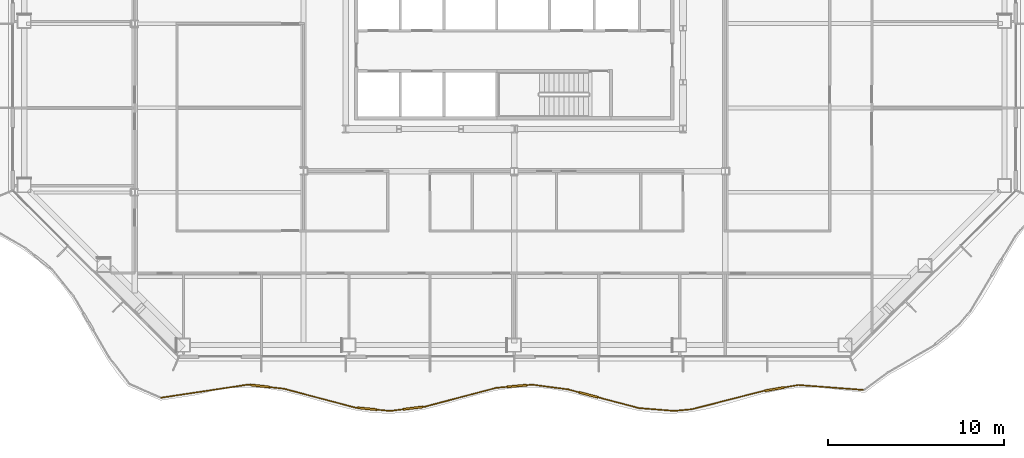
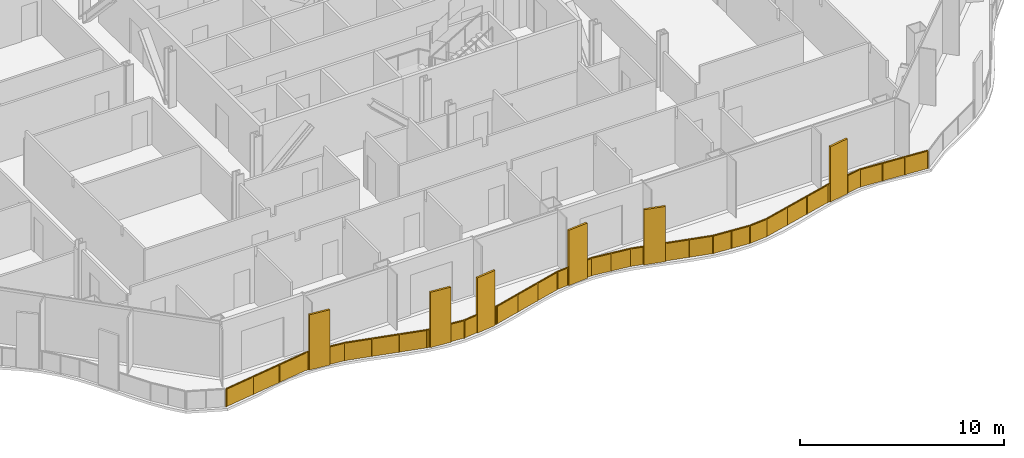
# One storey, part 16 of 23: 1 railing.
"""IFC4 building model written with IfcOpenShell, lengths in metres."""

import ifcopenshell
import ifcopenshell.guid

model = None  # the IFC model being written
_history = None  # IfcOwnerHistory: only IFC2X3 demands one
_inside = {}  # id of a spatial element -> (the spatial element, [elements in it])
_under = {}  # id of a project, library or spatial element -> (it, [spatial elements below it])
_declared = {}  # id of a project -> (the project, [libraries it declares])
_typed = {}  # id of a type object -> (the type object, [elements of that type])
_made_of = {}  # id of a material, layer set ... -> (it, [elements and type objects made of it])


def new_model(schema):
    """Start an empty IFC model of exactly this schema.

    Asked for "IFC4X3", IfcOpenShell would pick the latest addendum, in which some entities
    have other attributes; the version numbers below select the first issue.
    IFC2X3 requires an IfcOwnerHistory on every rooted entity: one is made here for all.
    """
    global model, _history
    if schema == "IFC4X3":
        model = ifcopenshell.file(schema_version=(4, 3, 0, 0))
    else:
        model = ifcopenshell.file(schema=schema)
    _inside.clear()
    _under.clear()
    _declared.clear()
    _typed.clear()
    _made_of.clear()
    _history = None
    if model.schema == "IFC2X3":
        org = make("IfcOrganization", Name="unknown")
        user = make(
            "IfcPersonAndOrganization",
            ThePerson=make("IfcPerson", FamilyName="unknown"),
            TheOrganization=org,
        )
        app = make(
            "IfcApplication",
            ApplicationDeveloper=org,
            Version="unknown",
            ApplicationFullName="unknown",
            ApplicationIdentifier="unknown",
        )
        _history = make(
            "IfcOwnerHistory",
            OwningUser=user,
            OwningApplication=app,
            ChangeAction="ADDED",
            CreationDate=0,
        )
    return model


def make(cls, **values):
    """One entity of the class cls with the attributes given. An attribute that is None is left unset."""
    return model.create_entity(
        cls, **{name: value for name, value in values.items() if value is not None}
    )


def rooted(cls, **values):
    """An entity with a GlobalId (a new one), such as an element, a storey or a relation."""
    return make(cls, GlobalId=ifcopenshell.guid.new(), OwnerHistory=_history, **values)


def si_unit(unit_type, name, prefix=None):
    """IfcSIUnit, for example si_unit("LENGTHUNIT", "METRE", prefix="MILLI")."""
    return make("IfcSIUnit", UnitType=unit_type, Prefix=prefix, Name=name)


def assignment(units):
    """IfcUnitAssignment: the units of a project."""
    return None if units is None else make("IfcUnitAssignment", Units=units)


def point(xyz):
    """IfcCartesianPoint."""
    return None if xyz is None else make("IfcCartesianPoint", Coordinates=xyz)


def direction(xyz):
    """IfcDirection."""
    return None if xyz is None else make("IfcDirection", DirectionRatios=xyz)


def frame(location, z_axis=None, x_axis=None):
    """IfcAxis2Placement3D, a coordinate frame: its origin and axes. An axis left out is left unset."""
    return make(
        "IfcAxis2Placement3D",
        Location=point(location),
        Axis=direction(z_axis),
        RefDirection=direction(x_axis),
    )


def frame_2d(location, x_axis=None):
    """IfcAxis2Placement2D, a coordinate frame in the plane: its origin and x axis."""
    return make(
        "IfcAxis2Placement2D", Location=point(location), RefDirection=direction(x_axis)
    )


def origin():
    """The frame at (0, 0, 0) with its axes left unset."""
    return frame((0.0, 0.0, 0.0))


def origin_2d():
    """The frame at (0, 0) in the plane with its x axis left unset."""
    return frame_2d((0.0, 0.0))


def place(relative_to, where):
    """IfcLocalPlacement: puts the frame where relative to a parent placement (None: the world)."""
    return make(
        "IfcLocalPlacement", PlacementRelTo=relative_to, RelativePlacement=where
    )


def context(
    kind, dimensions, precision=None, world=None, true_north=None, identifier=None
):
    """IfcGeometricRepresentationContext, for example the 3D "Model" context."""
    return make(
        "IfcGeometricRepresentationContext",
        ContextIdentifier=identifier,
        ContextType=kind,
        CoordinateSpaceDimension=dimensions,
        Precision=precision,
        WorldCoordinateSystem=world,
        TrueNorth=true_north,
    )


def subcontext(parent, identifier, kind, view, scale=None):
    """IfcGeometricRepresentationSubContext, for example "Body" below "Model"."""
    return make(
        "IfcGeometricRepresentationSubContext",
        ContextIdentifier=identifier,
        ContextType=kind,
        ParentContext=parent,
        TargetScale=scale,
        TargetView=view,
    )


def project(units=None, contexts=None):
    """IfcProject with its units and contexts."""
    return rooted(
        "IfcProject",
        Name="project",
        RepresentationContexts=contexts,
        UnitsInContext=assignment(units),
    )


def spatial(cls, under=None, at=None, **own):
    """A site, building, storey or space (cls), placed at a placement, below another one or the project."""
    s = rooted(cls, ObjectPlacement=at, **own)
    if under is not None:
        _under.setdefault(under.id(), (under, []))[1].append(s)
    return s


def polyline(points):
    """IfcPolyline through the points."""
    return make("IfcPolyline", Points=[point(p) for p in points])


def profile(cls, at=None, kind="AREA", **sizes):
    """A parametric profile (cls). Its sizes go by their IFC names, for example OverallWidth=200.0."""
    return make(cls, ProfileType=kind, Position=at, **sizes)


def rectangle(**sizes):
    """IfcRectangleProfileDef."""
    return profile("IfcRectangleProfileDef", **sizes)


def outline(outer, holes=None, kind="AREA"):
    """IfcArbitraryClosedProfileDef: a profile drawn as a closed curve; with holes, ...WithVoids."""
    if holes is None:
        return make("IfcArbitraryClosedProfileDef", ProfileType=kind, OuterCurve=outer)
    return make(
        "IfcArbitraryProfileDefWithVoids",
        ProfileType=kind,
        OuterCurve=outer,
        InnerCurves=holes,
    )


def extrude(swept, where, along, depth):
    """IfcExtrudedAreaSolid: the profile swept, set in the frame where, extruded along a direction by depth."""
    return make(
        "IfcExtrudedAreaSolid",
        SweptArea=swept,
        Position=where,
        ExtrudedDirection=direction(along),
        Depth=depth,
    )


def shape(context_of_items, identifier, shape_type, items):
    """IfcShapeRepresentation: the items that make up one representation, for example the "Body"."""
    return make(
        "IfcShapeRepresentation",
        ContextOfItems=context_of_items,
        RepresentationIdentifier=identifier,
        RepresentationType=shape_type,
        Items=items,
    )


def material(Name=None, Category=None):
    """IfcMaterial."""
    return make("IfcMaterial", Name=Name, Category=Category)


def made_of(thing, what):
    """Note that an element or type object is made of a material, layer set ...; save() writes the relation."""
    if what is not None:
        _made_of.setdefault(what.id(), (what, []))[1].append(thing)
    return thing


def type_object(cls, material=None, **own):
    """A type object (cls), such as IfcWallType, which elements share."""
    return made_of(rooted(cls, **own), material)


def element(
    cls,
    number,
    at=None,
    inside=None,
    cuts=None,
    type_object=None,
    material=None,
    context=None,
    identifier="Body",
    shape_type=None,
    held_by="IfcProductDefinitionShape",
    body=None,
    shapes=None,
    **own,
):
    """One element of the class cls, such as IfcWall. Its Tag is "e" and its number.

    at: its placement. inside: the storey or other place that contains it. cuts: it is an
    opening in that element (IfcRelVoidsElement). A single representation is given by context,
    identifier, shape_type and body (its items); several are given by shapes. held_by: the class
    of the entity that holds the representations. save() writes the other relations.
    """
    e = rooted(cls, Tag="e%d" % number, ObjectPlacement=at, **own)
    if body is not None:
        shapes = [shape(context, identifier, shape_type, body)]
    if shapes is not None:
        e.Representation = make(held_by, Representations=shapes)
    if inside is not None:
        _inside.setdefault(inside.id(), (inside, []))[1].append(e)
    if cuts is not None:
        rooted(
            "IfcRelVoidsElement", RelatingBuildingElement=cuts, RelatedOpeningElement=e
        )
    if type_object is not None:
        _typed.setdefault(type_object.id(), (type_object, []))[1].append(e)
    return made_of(e, material)


def aggregate(whole, parts):
    """IfcRelAggregates: a whole, such as a stair, and the parts it consists of."""
    return rooted("IfcRelAggregates", RelatingObject=whole, RelatedObjects=parts)


def save(model, path):
    """Write the relations noted so far, then the file.

    IfcRelAggregates (storeys below a building ...), IfcRelContainedInSpatialStructure (elements
    in a storey), IfcRelDefinesByType, IfcRelAssociatesMaterial and IfcRelDeclares: one each for
    every whole, place, type object, material and project.
    """
    for whole, parts in _under.values():
        aggregate(whole, parts)
    for where, things in _inside.values():
        rooted(
            "IfcRelContainedInSpatialStructure",
            RelatedElements=things,
            RelatingStructure=where,
        )
    for kind, things in _typed.values():
        rooted("IfcRelDefinesByType", RelatedObjects=things, RelatingType=kind)
    for what, things in _made_of.values():
        rooted("IfcRelAssociatesMaterial", RelatedObjects=things, RelatingMaterial=what)
    for by, libraries in _declared.values():
        rooted("IfcRelDeclares", RelatingContext=by, RelatedDefinitions=libraries)
    model.write(path)


model = new_model("IFC4")

# Units and contexts
model_context = context("Model", 3, precision=1e-05, world=origin(), true_north=direction((0.0, 1.0)))
body_context = subcontext(model_context, "Body", "Model", "MODEL_VIEW")
ifc_project = project(units=[si_unit("LENGTHUNIT", "METRE"), si_unit("AREAUNIT", "SQUARE_METRE"), si_unit("VOLUMEUNIT", "CUBIC_METRE"), si_unit("PLANEANGLEUNIT", "RADIAN"), si_unit("MASSUNIT", "GRAM", prefix="KILO")], contexts=[model_context])

# Site, building, storey
site_placement = place(None, origin())
site = spatial("IfcSite", under=ifc_project, at=site_placement, CompositionType="ELEMENT")
building_placement = place(site_placement, origin())
building = spatial("IfcBuilding", under=site, at=building_placement, Name="Cairn Pilgrim Tower", CompositionType="ELEMENT")
storey_placement = place(building_placement, frame((0.0, 0.0, 115.800048828125)))
storey = spatial("IfcBuildingStorey", under=building, at=storey_placement, Name="L28", CompositionType="ELEMENT", Elevation=115.800048828125)

# Railing
ifc_material = material(Name="Bronze anodised aluminium rail, posts and fin screens with laminated glass infill", Category="aluminium")
railing_type = type_object("IfcRailingType", Name="BALCONY GUARD WITH FIN SCREENS", PredefinedType="GUARDRAIL", material=ifc_material)
railing_placement = place(storey_placement, frame((-12.91162109375, -21.295166015625, 0.0)))
element("IfcRailing", 1, at=railing_placement, inside=storey, type_object=railing_type, Name="Balcony guard BGF-1 with fin screens", PredefinedType="GUARDRAIL", context=body_context, shape_type="SweptSolid", body=[
    extrude(rectangle(XDim=0.050048828125, YDim=0.050048828125, at=origin_2d()), frame((0.0, 0.0, 1.0751953125), z_axis=(0.988828800948, 0.149055702391, 0.0), x_axis=(-0.149055702391, 0.988828800948, 0.0)), (0.0, 0.0, 1.0), 5.007080078125),
    extrude(rectangle(XDim=1.10009765625, YDim=0.110107421875, at=origin_2d()), frame((5.646484375, 0.666259765625, 0.0), z_axis=(0.0, 0.0, 1.0), x_axis=(0.993430147247, -0.114440126447, 0.0)), (0.0, 0.0, 1.0), 3.300048828125),
    extrude(rectangle(XDim=0.050048828125, YDim=0.050048828125, at=origin_2d()), frame((4.951171875, 0.746337890625, 1.0751953125), z_axis=(0.993430147247, -0.114440126447, 0.0), x_axis=(0.114440126447, 0.993430147247, 0.0)), (0.0, 0.0, 1.0), 0.14990234375),
    extrude(rectangle(XDim=0.050048828125, YDim=0.050048828125, at=origin_2d()), frame((6.19287109375, 0.603271484375, 1.0751953125), z_axis=(0.993430147247, -0.114440126447, 0.0), x_axis=(0.114440126447, 0.993430147247, 0.0)), (0.0, 0.0, 1.0), 0.815185546875),
    extrude(rectangle(XDim=0.050048828125, YDim=0.050048828125, at=origin_2d()), frame((7.002685546875, 0.510009765625, 1.0751953125), z_axis=(0.966765123682, -0.255666180071, 0.0), x_axis=(0.255666180071, 0.966765123682, 0.0)), (0.0, 0.0, 1.0), 4.1796875),
    extrude(rectangle(XDim=1.10009765625, YDim=0.110107421875, at=origin_2d()), frame((11.740234375, -0.62646484375, 0.0), z_axis=(0.0, 0.0, 1.0), x_axis=(0.995276933333, -0.097076392468, 0.0)), (0.0, 0.0, 1.0), 3.300048828125),
    extrude(rectangle(XDim=0.050048828125, YDim=0.050048828125, at=origin_2d()), frame((11.04345703125, -0.55859375, 1.0751953125), z_axis=(0.995276933333, -0.097076392468, 0.0), x_axis=(0.097076392468, 0.995276933333, 0.0)), (0.0, 0.0, 1.0), 0.150146484375),
    extrude(rectangle(XDim=0.050048828125, YDim=0.050048828125, at=origin_2d()), frame((12.28759765625, -0.679931640625, 1.0751953125), z_axis=(0.995276933333, -0.097076392468, 0.0), x_axis=(0.097076392468, 0.995276933333, 0.0)), (0.0, 0.0, 1.0), 0.751953125),
    extrude(rectangle(XDim=1.10009765625, YDim=0.110107421875, at=origin_2d()), frame((14.3359375, -0.592041015625, 0.0), z_axis=(0.0, 0.0, 1.0), x_axis=(0.99243036164, 0.122808702034, 0.0)), (0.0, 0.0, 1.0), 3.300048828125),
    extrude(rectangle(XDim=0.050048828125, YDim=0.050048828125, at=origin_2d()), frame((13.035888671875, -0.7529296875, 1.0751953125), z_axis=(0.99243036164, 0.122808702034, 0.0), x_axis=(-0.122808702034, 0.99243036164, 0.0)), (0.0, 0.0, 1.0), 0.759765625),
    extrude(rectangle(XDim=0.050048828125, YDim=0.050048828125, at=origin_2d()), frame((14.881591796875, -0.5244140625, 1.0751953125), z_axis=(0.99243036164, 0.122808702034, 0.0), x_axis=(-0.122808702034, 0.99243036164, 0.0)), (0.0, 0.0, 1.0), 0.14990234375),
    extrude(rectangle(XDim=0.050048828125, YDim=0.050048828125, at=origin_2d()), frame((15.030517578125, -0.506103515625, 1.0751953125), z_axis=(0.966869355071, 0.255271718421, 0.0), x_axis=(-0.255271718421, 0.966869355071, 0.0)), (0.0, 0.0, 1.0), 4.183349609375),
    extrude(rectangle(XDim=1.10009765625, YDim=0.110107421875, at=origin_2d()), frame((20.260498046875, 0.666748046875, 0.0), z_axis=(0.0, 0.0, 1.0), x_axis=(0.996098632863, 0.088246890075, 0.0)), (0.0, 0.0, 1.0), 3.300048828125),
    extrude(rectangle(XDim=0.050048828125, YDim=0.050048828125, at=origin_2d()), frame((19.0751953125, 0.561767578125, 1.0751953125), z_axis=(0.996098632863, 0.088246890075, 0.0), x_axis=(-0.088246890075, 0.996098632863, 0.0)), (0.0, 0.0, 1.0), 0.639892578125),
    extrude(rectangle(XDim=0.050048828125, YDim=0.050048828125, at=origin_2d()), frame((20.808349609375, 0.71533203125, 1.0751953125), z_axis=(0.996098632863, 0.088246890075, 0.0), x_axis=(-0.088246890075, 0.996098632863, 0.0)), (0.0, 0.0, 1.0), 0.318603515625),
    extrude(rectangle(XDim=0.050048828125, YDim=0.050048828125, at=origin_2d()), frame((21.12548828125, 0.743408203125, 1.0751953125), z_axis=(0.991364715307, -0.131133524484, 0.0), x_axis=(0.131133524484, 0.991364715307, 0.0)), (0.0, 0.0, 1.0), 2.064697265625),
    extrude(rectangle(XDim=1.10009765625, YDim=0.110107421875, at=origin_2d()), frame((24.337890625, 0.165771484375, 0.0), z_axis=(0.0, 0.0, 1.0), x_axis=(0.967040448218, -0.254622802418, 0.0)), (0.0, 0.0, 1.0), 3.300048828125),
    extrude(rectangle(XDim=0.050048828125, YDim=0.050048828125, at=origin_2d()), frame((23.17236328125, 0.47265625, 1.0751953125), z_axis=(0.967040448218, -0.254622802418, 0.0), x_axis=(0.254622802418, 0.967040448218, 0.0)), (0.0, 0.0, 1.0), 0.6552734375),
    extrude(rectangle(XDim=0.050048828125, YDim=0.050048828125, at=origin_2d()), frame((24.86962890625, 0.025634765625, 1.0751953125), z_axis=(0.967040448218, -0.254622802418, 0.0), x_axis=(0.254622802418, 0.967040448218, 0.0)), (0.0, 0.0, 1.0), 2.42041015625),
    extrude(rectangle(XDim=0.050048828125, YDim=0.050048828125, at=origin_2d()), frame((27.21044921875, -0.590576171875, 1.0751953125), z_axis=(0.996851633741, -0.079289471602, 0.0), x_axis=(0.079289471602, 0.996851633741, 0.0)), (0.0, 0.0, 1.0), 2.00146484375),
    extrude(rectangle(XDim=0.050048828125, YDim=0.050048828125, at=origin_2d()), frame((29.20556640625, -0.749267578125, 1.0751953125), z_axis=(0.995939573167, 0.090024255623, 0.0), x_axis=(-0.090024255623, 0.995939573167, 0.0)), (0.0, 0.0, 1.0), 0.98974609375),
    extrude(rectangle(XDim=0.050048828125, YDim=0.050048828125, at=origin_2d()), frame((30.19140625, -0.66015625, 1.0751953125), z_axis=(0.968902764262, 0.247441777808, 0.0), x_axis=(-0.247441777808, 0.968902764262, 0.0)), (0.0, 0.0, 1.0), 4.165771484375),
    extrude(rectangle(XDim=1.10009765625, YDim=0.110107421875, at=origin_2d()), frame((34.91748046875, 0.489501953125, 0.0), z_axis=(0.0, 0.0, 1.0), x_axis=(0.985469622067, 0.169851770621, 0.0)), (0.0, 0.0, 1.0), 3.300048828125),
    extrude(rectangle(XDim=0.050048828125, YDim=0.050048828125, at=origin_2d()), frame((34.2275390625, 0.37060546875, 1.0751953125), z_axis=(0.985469622067, 0.169851770621, 0.0), x_axis=(-0.169851770621, 0.985469622067, 0.0)), (0.0, 0.0, 1.0), 0.150146484375),
    extrude(rectangle(XDim=0.050048828125, YDim=0.050048828125, at=origin_2d()), frame((35.45947265625, 0.5830078125, 1.0751953125), z_axis=(0.985469622067, 0.169851770621, 0.0), x_axis=(-0.169851770621, 0.985469622067, 0.0)), (0.0, 0.0, 1.0), 0.825439453125),
    extrude(rectangle(XDim=0.050048828125, YDim=0.050048828125, at=origin_2d()), frame((36.27294921875, 0.72314453125, 1.0751953125), z_axis=(0.99714819116, -0.075468436232, 0.0), x_axis=(0.075468436232, 0.99714819116, 0.0)), (0.0, 0.0, 1.0), 3.6943359375),
    extrude(rectangle(XDim=0.050048828125, YDim=0.050048828125, at=origin_2d()), origin(), (0.0, 0.0, 1.0), 1.050048828125),
    extrude(rectangle(XDim=0.050048828125, YDim=0.050048828125, at=origin_2d()), frame((1.650390625, 0.248779296875, 0.0)), (0.0, 0.0, 1.0), 1.050048828125),
    extrude(rectangle(XDim=0.050048828125, YDim=0.050048828125, at=origin_2d()), frame((3.30078125, 0.49755859375, 0.0)), (0.0, 0.0, 1.0), 1.050048828125),
    extrude(rectangle(XDim=0.050048828125, YDim=0.050048828125, at=origin_2d()), frame((4.951171875, 0.746337890625, 0.0)), (0.0, 0.0, 1.0), 1.050048828125),
    extrude(rectangle(XDim=0.050048828125, YDim=0.050048828125, at=origin_2d()), frame((5.0751953125, 0.73193359375, 0.0)), (0.0, 0.0, 1.0), 1.050048828125),
    extrude(rectangle(XDim=0.050048828125, YDim=0.050048828125, at=origin_2d()), frame((6.2177734375, 0.600341796875, 0.0)), (0.0, 0.0, 1.0), 1.050048828125),
    extrude(rectangle(XDim=0.050048828125, YDim=0.050048828125, at=origin_2d()), frame((7.002685546875, 0.510009765625, 0.0)), (0.0, 0.0, 1.0), 1.050048828125),
    extrude(rectangle(XDim=0.050048828125, YDim=0.050048828125, at=origin_2d()), frame((8.349609375, 0.15380859375, 0.0)), (0.0, 0.0, 1.0), 1.050048828125),
    extrude(rectangle(XDim=0.050048828125, YDim=0.050048828125, at=origin_2d()), frame((9.696533203125, -0.202392578125, 0.0)), (0.0, 0.0, 1.0), 1.050048828125),
    extrude(rectangle(XDim=0.050048828125, YDim=0.050048828125, at=origin_2d()), frame((11.04345703125, -0.55859375, 0.0)), (0.0, 0.0, 1.0), 1.050048828125),
    extrude(rectangle(XDim=0.050048828125, YDim=0.050048828125, at=origin_2d()), frame((11.16796875, -0.57080078125, 0.0)), (0.0, 0.0, 1.0), 1.050048828125),
    extrude(rectangle(XDim=0.050048828125, YDim=0.050048828125, at=origin_2d()), frame((12.3125, -0.682373046875, 0.0)), (0.0, 0.0, 1.0), 1.050048828125),
    extrude(rectangle(XDim=0.050048828125, YDim=0.050048828125, at=origin_2d()), frame((13.035888671875, -0.7529296875, 0.0)), (0.0, 0.0, 1.0), 1.050048828125),
    extrude(rectangle(XDim=0.050048828125, YDim=0.050048828125, at=origin_2d()), frame((13.76513671875, -0.66259765625, 0.0)), (0.0, 0.0, 1.0), 1.050048828125),
    extrude(rectangle(XDim=0.050048828125, YDim=0.050048828125, at=origin_2d()), frame((14.906494140625, -0.521484375, 0.0)), (0.0, 0.0, 1.0), 1.050048828125),
    extrude(rectangle(XDim=0.050048828125, YDim=0.050048828125, at=origin_2d()), frame((15.030517578125, -0.506103515625, 0.0)), (0.0, 0.0, 1.0), 1.050048828125),
    extrude(rectangle(XDim=0.050048828125, YDim=0.050048828125, at=origin_2d()), frame((16.378662109375, -0.150146484375, 0.0)), (0.0, 0.0, 1.0), 1.050048828125),
    extrude(rectangle(XDim=0.050048828125, YDim=0.050048828125, at=origin_2d()), frame((17.72705078125, 0.205810546875, 0.0)), (0.0, 0.0, 1.0), 1.050048828125),
    extrude(rectangle(XDim=0.050048828125, YDim=0.050048828125, at=origin_2d()), frame((19.0751953125, 0.561767578125, 0.0)), (0.0, 0.0, 1.0), 1.050048828125),
    extrude(rectangle(XDim=0.050048828125, YDim=0.050048828125, at=origin_2d()), frame((19.6875, 0.615966796875, 0.0)), (0.0, 0.0, 1.0), 1.050048828125),
    extrude(rectangle(XDim=0.050048828125, YDim=0.050048828125, at=origin_2d()), frame((20.833251953125, 0.717529296875, 0.0)), (0.0, 0.0, 1.0), 1.050048828125),
    extrude(rectangle(XDim=0.050048828125, YDim=0.050048828125, at=origin_2d()), frame((21.12548828125, 0.743408203125, 0.0)), (0.0, 0.0, 1.0), 1.050048828125),
    extrude(rectangle(XDim=0.050048828125, YDim=0.050048828125, at=origin_2d()), frame((22.14892578125, 0.60791015625, 0.0)), (0.0, 0.0, 1.0), 1.050048828125),
    extrude(rectangle(XDim=0.050048828125, YDim=0.050048828125, at=origin_2d()), frame((23.17236328125, 0.47265625, 0.0)), (0.0, 0.0, 1.0), 1.050048828125),
    extrude(rectangle(XDim=0.050048828125, YDim=0.050048828125, at=origin_2d()), frame((23.78173828125, 0.312255859375, 0.0)), (0.0, 0.0, 1.0), 1.050048828125),
    extrude(rectangle(XDim=0.050048828125, YDim=0.050048828125, at=origin_2d()), frame((24.893798828125, 0.019287109375, 0.0)), (0.0, 0.0, 1.0), 1.050048828125),
    extrude(rectangle(XDim=0.050048828125, YDim=0.050048828125, at=origin_2d()), frame((26.05224609375, -0.28564453125, 0.0)), (0.0, 0.0, 1.0), 1.050048828125),
    extrude(rectangle(XDim=0.050048828125, YDim=0.050048828125, at=origin_2d()), frame((27.21044921875, -0.590576171875, 0.0)), (0.0, 0.0, 1.0), 1.050048828125),
    extrude(rectangle(XDim=0.050048828125, YDim=0.050048828125, at=origin_2d()), frame((28.2080078125, -0.669921875, 0.0)), (0.0, 0.0, 1.0), 1.050048828125),
    extrude(rectangle(XDim=0.050048828125, YDim=0.050048828125, at=origin_2d()), frame((29.20556640625, -0.749267578125, 0.0)), (0.0, 0.0, 1.0), 1.050048828125),
    extrude(rectangle(XDim=0.050048828125, YDim=0.050048828125, at=origin_2d()), frame((30.19140625, -0.66015625, 0.0)), (0.0, 0.0, 1.0), 1.050048828125),
    extrude(rectangle(XDim=0.050048828125, YDim=0.050048828125, at=origin_2d()), frame((31.536865234375, -0.316650390625, 0.0)), (0.0, 0.0, 1.0), 1.050048828125),
    extrude(rectangle(XDim=0.050048828125, YDim=0.050048828125, at=origin_2d()), frame((32.882080078125, 0.027099609375, 0.0)), (0.0, 0.0, 1.0), 1.050048828125),
    extrude(rectangle(XDim=0.050048828125, YDim=0.050048828125, at=origin_2d()), frame((34.2275390625, 0.37060546875, 0.0)), (0.0, 0.0, 1.0), 1.050048828125),
    extrude(rectangle(XDim=0.050048828125, YDim=0.050048828125, at=origin_2d()), frame((34.350830078125, 0.391845703125, 0.0)), (0.0, 0.0, 1.0), 1.050048828125),
    extrude(rectangle(XDim=0.050048828125, YDim=0.050048828125, at=origin_2d()), frame((35.484130859375, 0.587158203125, 0.0)), (0.0, 0.0, 1.0), 1.050048828125),
    extrude(rectangle(XDim=0.050048828125, YDim=0.050048828125, at=origin_2d()), frame((36.27294921875, 0.72314453125, 0.0)), (0.0, 0.0, 1.0), 1.050048828125),
    extrude(rectangle(XDim=0.050048828125, YDim=0.050048828125, at=origin_2d()), frame((37.5009765625, 0.630126953125, 0.0)), (0.0, 0.0, 1.0), 1.050048828125),
    extrude(rectangle(XDim=0.050048828125, YDim=0.050048828125, at=origin_2d()), frame((38.728759765625, 0.537353515625, 0.0)), (0.0, 0.0, 1.0), 1.050048828125),
    extrude(rectangle(XDim=0.050048828125, YDim=0.050048828125, at=origin_2d()), frame((39.956787109375, 0.4443359375, 0.0)), (0.0, 0.0, 1.0), 1.050048828125),
    extrude(outline(polyline([(0.02490234375, 0.0), (1.64404296875, 0.0), (1.64404296875, 1.050048828125), (0.02490234375, 1.050048828125), (0.02490234375, 0.0)])), frame((-0.0009765625, 0.005859375, 0.0), z_axis=(0.149055702391, -0.988828800948, 0.0), x_axis=(0.988828800948, 0.149055702391, 0.0)), (0.0, 0.0, 1.0), 0.011962890625),
    extrude(outline(polyline([(0.02490234375, 0.0), (1.64404296875, 0.0), (1.64404296875, 1.050048828125), (0.02490234375, 1.050048828125), (0.02490234375, 0.0)])), frame((1.6494140625, 0.254638671875, 0.0), z_axis=(0.149055702391, -0.988828800948, 0.0), x_axis=(0.988828800948, 0.149055702391, 0.0)), (0.0, 0.0, 1.0), 0.011962890625),
    extrude(outline(polyline([(0.02490234375, 0.0), (1.64404296875, 0.0), (1.64404296875, 1.050048828125), (0.02490234375, 1.050048828125), (0.02490234375, 0.0)])), frame((3.2998046875, 0.50341796875, 0.0), z_axis=(0.149055702391, -0.988828800948, 0.0), x_axis=(0.988828800948, 0.149055702391, 0.0)), (0.0, 0.0, 1.0), 0.011962890625),
    extrude(outline(polyline([(0.02490234375, 0.0), (0.099853515625, 0.0), (0.099853515625, 1.050048828125), (0.02490234375, 1.050048828125), (0.02490234375, 0.0)])), frame((4.951904296875, 0.752197265625, 0.0), z_axis=(-0.114440126447, -0.993430147247, 0.0), x_axis=(0.993430147247, -0.114440126447, 0.0)), (0.0, 0.0, 1.0), 0.011962890625),
    extrude(outline(polyline([(0.02490234375, 0.0), (0.76513671875, 0.0), (0.76513671875, 1.050048828125), (0.02490234375, 1.050048828125), (0.02490234375, 0.0)])), frame((6.218505859375, 0.6064453125, 0.0), z_axis=(-0.114440126447, -0.993430147247, 0.0), x_axis=(0.993430147247, -0.114440126447, 0.0)), (0.0, 0.0, 1.0), 0.011962890625),
    extrude(outline(polyline([(0.02490234375, 0.0), (1.3681640625, 0.0), (1.3681640625, 1.050048828125), (0.02490234375, 1.050048828125), (0.02490234375, 0.0)])), frame((7.004150390625, 0.515869140625, 0.0), z_axis=(-0.255666180071, -0.966765123682, 0.0), x_axis=(0.966765123682, -0.255666180071, 0.0)), (0.0, 0.0, 1.0), 0.011962890625),
    extrude(outline(polyline([(0.02490234375, 0.0), (1.3681640625, 0.0), (1.3681640625, 1.050048828125), (0.02490234375, 1.050048828125), (0.02490234375, 0.0)])), frame((8.35107421875, 0.15966796875, 0.0), z_axis=(-0.255666180071, -0.966765123682, 0.0), x_axis=(0.966765123682, -0.255666180071, 0.0)), (0.0, 0.0, 1.0), 0.011962890625),
    extrude(outline(polyline([(0.02490234375, 0.0), (1.3681640625, 0.0), (1.3681640625, 1.050048828125), (0.02490234375, 1.050048828125), (0.02490234375, 0.0)])), frame((9.697998046875, -0.196533203125, 0.0), z_axis=(-0.255666180071, -0.966765123682, 0.0), x_axis=(0.966765123682, -0.255666180071, 0.0)), (0.0, 0.0, 1.0), 0.011962890625),
    extrude(outline(polyline([(0.02490234375, 0.0), (0.10009765625, 0.0), (0.10009765625, 1.050048828125), (0.02490234375, 1.050048828125), (0.02490234375, 0.0)])), frame((11.0439453125, -0.552734375, 0.0), z_axis=(-0.097076392468, -0.995276933333, 0.0), x_axis=(0.995276933333, -0.097076392468, 0.0)), (0.0, 0.0, 1.0), 0.011962890625),
    extrude(outline(polyline([(0.02490234375, 0.0), (0.701904296875, 0.0), (0.701904296875, 1.050048828125), (0.02490234375, 1.050048828125), (0.02490234375, 0.0)])), frame((12.31298828125, -0.676513671875, 0.0), z_axis=(-0.097076392468, -0.995276933333, 0.0), x_axis=(0.995276933333, -0.097076392468, 0.0)), (0.0, 0.0, 1.0), 0.011962890625),
    extrude(outline(polyline([(0.02490234375, 0.0), (0.709716796875, 0.0), (0.709716796875, 1.050048828125), (0.02490234375, 1.050048828125), (0.02490234375, 0.0)])), frame((13.03515625, -0.7470703125, 0.0), z_axis=(0.122808702034, -0.99243036164, 0.0), x_axis=(0.99243036164, 0.122808702034, 0.0)), (0.0, 0.0, 1.0), 0.011962890625),
    extrude(outline(polyline([(0.02490234375, 0.0), (0.099853515625, 0.0), (0.099853515625, 1.050048828125), (0.02490234375, 1.050048828125), (0.02490234375, 0.0)])), frame((14.90576171875, -0.515625, 0.0), z_axis=(0.122808702034, -0.99243036164, 0.0), x_axis=(0.99243036164, 0.122808702034, 0.0)), (0.0, 0.0, 1.0), 0.011962890625),
    extrude(outline(polyline([(0.02490234375, 0.0), (1.369384765625, 0.0), (1.369384765625, 1.050048828125), (0.02490234375, 1.050048828125), (0.02490234375, 0.0)])), frame((15.029052734375, -0.500244140625, 0.0), z_axis=(0.255271718421, -0.966869355071, 0.0), x_axis=(0.966869355071, 0.255271718421, 0.0)), (0.0, 0.0, 1.0), 0.011962890625),
    extrude(outline(polyline([(0.02490234375, 0.0), (1.369384765625, 0.0), (1.369384765625, 1.050048828125), (0.02490234375, 1.050048828125), (0.02490234375, 0.0)])), frame((16.377197265625, -0.144287109375, 0.0), z_axis=(0.255271718421, -0.966869355071, 0.0), x_axis=(0.966869355071, 0.255271718421, 0.0)), (0.0, 0.0, 1.0), 0.011962890625),
    extrude(outline(polyline([(0.02490234375, 0.0), (1.369384765625, 0.0), (1.369384765625, 1.050048828125), (0.02490234375, 1.050048828125), (0.02490234375, 0.0)])), frame((17.725341796875, 0.211669921875, 0.0), z_axis=(0.255271718421, -0.966869355071, 0.0), x_axis=(0.966869355071, 0.255271718421, 0.0)), (0.0, 0.0, 1.0), 0.011962890625),
    extrude(outline(polyline([(0.02490234375, 0.0), (0.58984375, 0.0), (0.58984375, 1.050048828125), (0.02490234375, 1.050048828125), (0.02490234375, 0.0)])), frame((19.07470703125, 0.567626953125, 0.0), z_axis=(0.088246890075, -0.996098632863, 0.0), x_axis=(0.996098632863, 0.088246890075, 0.0)), (0.0, 0.0, 1.0), 0.011962890625),
    extrude(outline(polyline([(0.02490234375, 0.0), (0.2685546875, 0.0), (0.2685546875, 1.050048828125), (0.02490234375, 1.050048828125), (0.02490234375, 0.0)])), frame((20.83251953125, 0.723388671875, 0.0), z_axis=(0.088246890075, -0.996098632863, 0.0), x_axis=(0.996098632863, 0.088246890075, 0.0)), (0.0, 0.0, 1.0), 0.011962890625),
    extrude(outline(polyline([(0.02490234375, 0.0), (1.00732421875, 0.0), (1.00732421875, 1.050048828125), (0.02490234375, 1.050048828125), (0.02490234375, 0.0)])), frame((21.126220703125, 0.749267578125, 0.0), z_axis=(-0.131133524484, -0.991364715307, 0.0), x_axis=(0.991364715307, -0.131133524484, 0.0)), (0.0, 0.0, 1.0), 0.011962890625),
    extrude(outline(polyline([(0.02490234375, 0.0), (1.00732421875, 0.0), (1.00732421875, 1.050048828125), (0.02490234375, 1.050048828125), (0.02490234375, 0.0)])), frame((22.149658203125, 0.614013671875, 0.0), z_axis=(-0.131133524484, -0.991364715307, 0.0), x_axis=(0.991364715307, -0.131133524484, 0.0)), (0.0, 0.0, 1.0), 0.011962890625),
    extrude(outline(polyline([(0.02490234375, 0.0), (0.605224609375, 0.0), (0.605224609375, 1.050048828125), (0.02490234375, 1.050048828125), (0.02490234375, 0.0)])), frame((23.173828125, 0.478515625, 0.0), z_axis=(-0.254622802418, -0.967040448218, 0.0), x_axis=(0.967040448218, -0.254622802418, 0.0)), (0.0, 0.0, 1.0), 0.011962890625),
    extrude(outline(polyline([(0.02490234375, 0.0), (1.172607421875, 0.0), (1.172607421875, 1.050048828125), (0.02490234375, 1.050048828125), (0.02490234375, 0.0)])), frame((24.8955078125, 0.025146484375, 0.0), z_axis=(-0.254622802418, -0.967040448218, 0.0), x_axis=(0.967040448218, -0.254622802418, 0.0)), (0.0, 0.0, 1.0), 0.011962890625),
    extrude(outline(polyline([(0.02490234375, 0.0), (1.172607421875, 0.0), (1.172607421875, 1.050048828125), (0.02490234375, 1.050048828125), (0.02490234375, 0.0)])), frame((26.0537109375, -0.27978515625, 0.0), z_axis=(-0.254622802418, -0.967040448218, 0.0), x_axis=(0.967040448218, -0.254622802418, 0.0)), (0.0, 0.0, 1.0), 0.011962890625),
    extrude(outline(polyline([(0.02490234375, 0.0), (0.9755859375, 0.0), (0.9755859375, 1.050048828125), (0.02490234375, 1.050048828125), (0.02490234375, 0.0)])), frame((27.2109375, -0.584716796875, 0.0), z_axis=(-0.079289471602, -0.996851633741, 0.0), x_axis=(0.996851633741, -0.079289471602, 0.0)), (0.0, 0.0, 1.0), 0.011962890625),
    extrude(outline(polyline([(0.02490234375, 0.0), (0.9755859375, 0.0), (0.9755859375, 1.050048828125), (0.02490234375, 1.050048828125), (0.02490234375, 0.0)])), frame((28.20849609375, -0.6640625, 0.0), z_axis=(-0.079289471602, -0.996851633741, 0.0), x_axis=(0.996851633741, -0.079289471602, 0.0)), (0.0, 0.0, 1.0), 0.011962890625),
    extrude(outline(polyline([(0.02490234375, 0.0), (0.96484375, 0.0), (0.96484375, 1.050048828125), (0.02490234375, 1.050048828125), (0.02490234375, 0.0)])), frame((29.205078125, -0.743408203125, 0.0), z_axis=(0.090024255623, -0.995939573167, 0.0), x_axis=(0.995939573167, 0.090024255623, 0.0)), (0.0, 0.0, 1.0), 0.011962890625),
    extrude(outline(polyline([(0.02490234375, 0.0), (1.363525390625, 0.0), (1.363525390625, 1.050048828125), (0.02490234375, 1.050048828125), (0.02490234375, 0.0)])), frame((30.18994140625, -0.654296875, 0.0), z_axis=(0.247441777808, -0.968902764262, 0.0), x_axis=(0.968902764262, 0.247441777808, 0.0)), (0.0, 0.0, 1.0), 0.011962890625),
    extrude(outline(polyline([(0.02490234375, 0.0), (1.363525390625, 0.0), (1.363525390625, 1.050048828125), (0.02490234375, 1.050048828125), (0.02490234375, 0.0)])), frame((31.535400390625, -0.310791015625, 0.0), z_axis=(0.247441777808, -0.968902764262, 0.0), x_axis=(0.968902764262, 0.247441777808, 0.0)), (0.0, 0.0, 1.0), 0.011962890625),
    extrude(outline(polyline([(0.02490234375, 0.0), (1.363525390625, 0.0), (1.363525390625, 1.050048828125), (0.02490234375, 1.050048828125), (0.02490234375, 0.0)])), frame((32.880615234375, 0.03271484375, 0.0), z_axis=(0.247441777808, -0.968902764262, 0.0), x_axis=(0.968902764262, 0.247441777808, 0.0)), (0.0, 0.0, 1.0), 0.011962890625),
    extrude(outline(polyline([(0.02490234375, 0.0), (0.10009765625, 0.0), (0.10009765625, 1.050048828125), (0.02490234375, 1.050048828125), (0.02490234375, 0.0)])), frame((34.2265625, 0.37646484375, 0.0), z_axis=(0.169851770621, -0.985469622067, 0.0), x_axis=(0.985469622067, 0.169851770621, 0.0)), (0.0, 0.0, 1.0), 0.011962890625),
    extrude(outline(polyline([(0.02490234375, 0.0), (0.775390625, 0.0), (0.775390625, 1.050048828125), (0.02490234375, 1.050048828125), (0.02490234375, 0.0)])), frame((35.483154296875, 0.593017578125, 0.0), z_axis=(0.169851770621, -0.985469622067, 0.0), x_axis=(0.985469622067, 0.169851770621, 0.0)), (0.0, 0.0, 1.0), 0.011962890625),
    extrude(outline(polyline([(0.02490234375, 0.0), (1.20654296875, 0.0), (1.20654296875, 1.050048828125), (0.02490234375, 1.050048828125), (0.02490234375, 0.0)])), frame((36.2734375, 0.72900390625, 0.0), z_axis=(-0.075468436232, -0.99714819116, 0.0), x_axis=(0.99714819116, -0.075468436232, 0.0)), (0.0, 0.0, 1.0), 0.011962890625),
    extrude(outline(polyline([(0.02490234375, 0.0), (1.20654296875, 0.0), (1.20654296875, 1.050048828125), (0.02490234375, 1.050048828125), (0.02490234375, 0.0)])), frame((37.50146484375, 0.63623046875, 0.0), z_axis=(-0.075468436232, -0.99714819116, 0.0), x_axis=(0.99714819116, -0.075468436232, 0.0)), (0.0, 0.0, 1.0), 0.011962890625),
    extrude(outline(polyline([(0.02490234375, 0.0), (1.20654296875, 0.0), (1.20654296875, 1.050048828125), (0.02490234375, 1.050048828125), (0.02490234375, 0.0)])), frame((38.729248046875, 0.543212890625, 0.0), z_axis=(-0.075468436232, -0.99714819116, 0.0), x_axis=(0.99714819116, -0.075468436232, 0.0)), (0.0, 0.0, 1.0), 0.011962890625),
])

save(model, "model.ifc")
